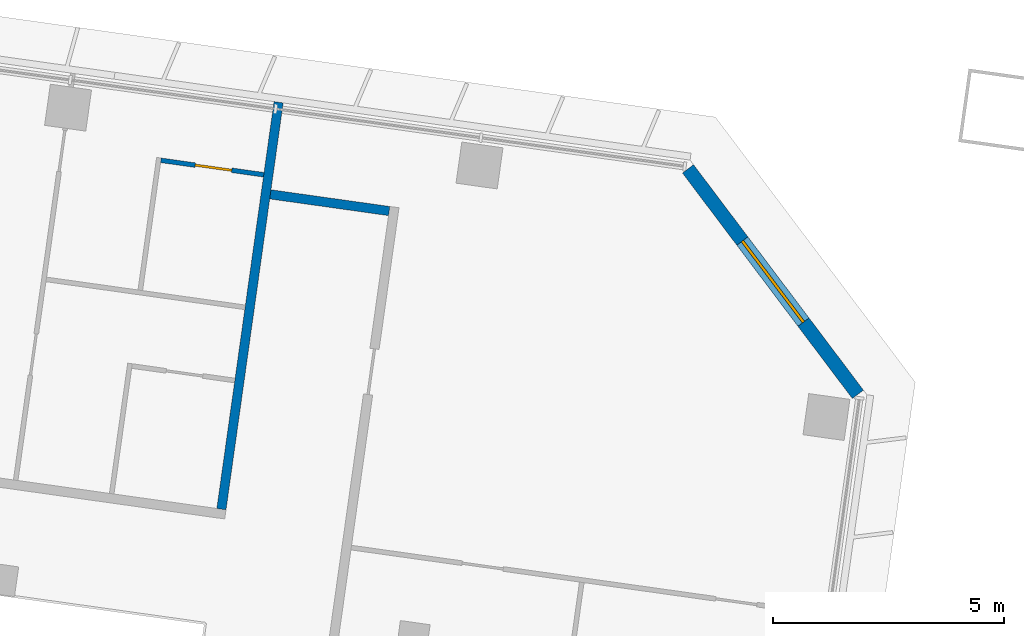
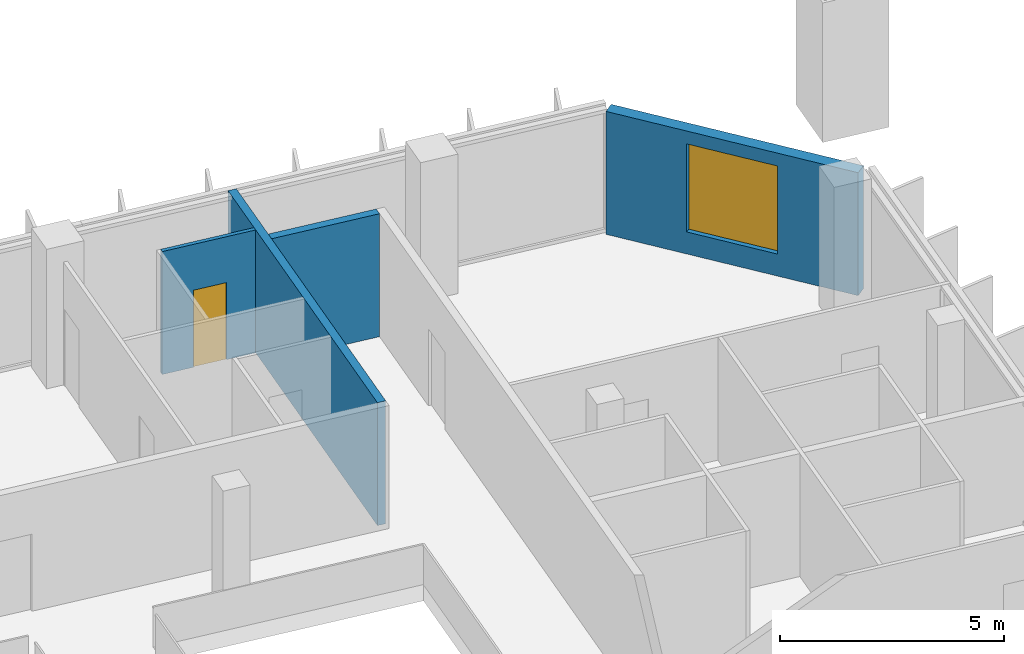
# One storey, part 18 of 27: 4 walls, 1 door, 1 window, 2 openings.
"""IFC4 building model written with IfcOpenShell, lengths in metres."""

from ifc_helpers import new_model, si_unit, direction, frame, frame_2d, origin, place, context, subcontext, project, spatial, rectangle, extrude, material, layer, layer_set, type_object, element, fill, save


model = new_model("IFC4")

# Units and contexts
model_context = context("Model", 3, precision=1e-05, world=origin(), true_north=direction((0.0, 1.0)))
body_context = subcontext(model_context, "Body", "Model", "MODEL_VIEW")
ifc_project = project(units=[si_unit("LENGTHUNIT", "METRE"), si_unit("AREAUNIT", "SQUARE_METRE"), si_unit("VOLUMEUNIT", "CUBIC_METRE"), si_unit("PLANEANGLEUNIT", "RADIAN"), si_unit("MASSUNIT", "GRAM", prefix="KILO")], contexts=[model_context])

# Site, building, storey
site_placement = place(None, origin())
site = spatial("IfcSite", under=ifc_project, at=site_placement, CompositionType="ELEMENT")
building_placement = place(site_placement, origin())
building = spatial("IfcBuilding", under=site, at=building_placement, Name="Mirante Cascada Hotel Towers", CompositionType="ELEMENT")
storey_placement = place(building_placement, frame((0.0, 0.0, 117.7)))
storey = spatial("IfcBuildingStorey", under=building, at=storey_placement, Name="L26", CompositionType="ELEMENT", Elevation=117.7)

# Walls
ifc_material_1 = material(Name="Fire-rated plasterboard on metal studs")
ifc_layer_1 = layer(ifc_material_1, 0.2)
ifc_layer_set_1 = layer_set([ifc_layer_1], Name="Compartment wall 200 EI 120")
wall_type_1 = type_object("IfcWallType", Name="Compartment wall 200 EI 120", PredefinedType="PARTITIONING", material=ifc_layer_set_1)
wall_1_placement = place(storey_placement, frame((-38.329, 16.3376, 0.0), z_axis=(0.0, 0.0, 1.0), x_axis=(-0.9902647, 0.1391971, 0.0)))
element("IfcWall", 1, at=wall_1_placement, inside=storey, type_object=wall_type_1, Name="Wall 1-L26-27", PredefinedType="PARTITIONING", context=body_context, shape_type="SweptSolid", body=[
    extrude(rectangle(XDim=2.5999, YDim=0.2, at=frame_2d((1.3, 0.0))), origin(), (0.0, 0.0, 1.0), 3.35),
])
wall_2_placement = place(storey_placement, frame((-41.963, 9.8805, 0.0), z_axis=(0.0, 0.0, 1.0), x_axis=(0.1391794, 0.9902672, 0.0)))
element("IfcWall", 2, at=wall_2_placement, inside=storey, type_object=wall_type_1, Name="Wall 1-L26-37", PredefinedType="PARTITIONING", context=body_context, shape_type="SweptSolid", body=[
    extrude(rectangle(XDim=8.9, YDim=0.2, at=frame_2d((4.45, 0.0))), origin(), (0.0, 0.0, 1.0), 3.35),
])

# Wall, opening, door
ifc_material_2 = material(Name="Plasterboard on metal studs")
ifc_layer_2 = layer(ifc_material_2, 0.1)
ifc_layer_set_2 = layer_set([ifc_layer_2], Name="Partition 100")
wall_type_2 = type_object("IfcWallType", Name="Partition 100", PredefinedType="PARTITIONING", material=ifc_layer_set_2)
wall_3_placement = place(storey_placement, frame((-41.046, 17.1234, 0.0), z_axis=(0.0, 0.0, 1.0), x_axis=(-0.9902643, 0.1391997, 0.0)))
wall_3 = element("IfcWall", 3, at=wall_3_placement, inside=storey, type_object=wall_type_2, Name="Wall 1-L26-29", PredefinedType="PARTITIONING", context=body_context, shape_type="SweptSolid", body=[
    extrude(rectangle(XDim=2.25, YDim=0.1, at=frame_2d((1.125, 0.0))), origin(), (0.0, 0.0, 1.0), 3.35),
])
opening_1_placement = place(wall_3_placement, frame((0.7, 0.0, 0.0)))
opening_1 = element("IfcOpeningElement", 4, at=opening_1_placement, cuts=wall_3, Name="Opening D1-L26-20", PredefinedType="OPENING", context=body_context, shape_type="SweptSolid", body=[
    extrude(rectangle(XDim=0.8, YDim=2.1, at=frame_2d((0.4, 1.05))), frame((0.0, 0.05, 0.0), z_axis=(0.0, -1.0, 0.0), x_axis=(1.0, 0.0, 0.0)), (0.0, 0.0, 1.0), 0.1),
])
ifc_material_3 = material(Name="Timber door leaf", Category="wood")
door_type = type_object("IfcDoorType", Name="Bathroom door DG4 800x2100", OperationType="SINGLE_SWING_LEFT", PredefinedType="DOOR", material=ifc_material_3)
door_placement = place(opening_1_placement, origin())
door = element("IfcDoor", 5, at=door_placement, inside=storey, type_object=door_type, Name="Door D1-L26-20", OperationType="SINGLE_SWING_LEFT", OverallHeight=2.1, OverallWidth=0.8, PredefinedType="DOOR", context=body_context, shape_type="SweptSolid", body=[
    extrude(rectangle(XDim=0.8, YDim=2.1, at=frame_2d((0.4, 1.05))), frame((0.0, 0.025, 0.0), z_axis=(0.0, -1.0, 0.0), x_axis=(1.0, 0.0, 0.0)), (0.0, 0.0, 1.0), 0.05),
])
fill(opening_1, door)

# Wall, opening, window
ifc_material_4 = material(Name="Precast concrete C40/50", Category="concrete")
ifc_layer_3 = layer(ifc_material_4, 0.3)
ifc_layer_set_3 = layer_set([ifc_layer_3], Name="Precast concrete C40/50 cladding wall 300")
wall_type_3 = type_object("IfcWallType", Name="Precast concrete C40/50 cladding wall 300", PredefinedType="STANDARD", material=ifc_layer_set_3)
wall_4_placement = place(storey_placement, frame((-31.857, 17.252, 0.0), z_axis=(0.0, 0.0, 1.0), x_axis=(0.6018141, -0.7986362, 0.0)))
wall_4 = element("IfcWall", 6, at=wall_4_placement, inside=storey, type_object=wall_type_3, Name="Corner cladding wall T1 L26 front inner", PredefinedType="STANDARD", context=body_context, shape_type="SweptSolid", body=[
    extrude(rectangle(XDim=6.1157, YDim=0.3, at=frame_2d((3.0578, 0.0))), origin(), (0.0, 0.0, 1.0), 3.35),
])
opening_2_placement = place(wall_4_placement, frame((1.9578, 0.0, 0.6)))
opening_2 = element("IfcOpeningElement", 7, at=opening_2_placement, cuts=wall_4, Name="Opening W1-26-05", PredefinedType="OPENING", context=body_context, shape_type="SweptSolid", body=[
    extrude(rectangle(XDim=2.2, YDim=2.4, at=frame_2d((1.1, 1.2))), frame((0.0, 0.15, 0.0), z_axis=(0.0, -1.0, 0.0), x_axis=(1.0, 0.0, 0.0)), (0.0, 0.0, 1.0), 0.3),
])
ifc_material_5 = material(Name="Aluminium frame with clear double glazing", Category="aluminium")
window_type = type_object("IfcWindowType", Name="Corner suite window 2200x2400", PartitioningType="DOUBLE_PANEL_VERTICAL", PredefinedType="WINDOW", material=ifc_material_5)
window_placement = place(opening_2_placement, origin())
window = element("IfcWindow", 8, at=window_placement, inside=storey, type_object=window_type, Name="Window W1-26-05", OverallHeight=2.4, OverallWidth=2.2, PartitioningType="SINGLE_PANEL", PredefinedType="WINDOW", context=body_context, shape_type="SweptSolid", body=[
    extrude(rectangle(XDim=2.2, YDim=2.4, at=frame_2d((1.1, 1.2))), frame((0.0, 0.03, 0.0), z_axis=(0.0, -1.0, 0.0), x_axis=(1.0, 0.0, 0.0)), (0.0, 0.0, 1.0), 0.06),
])
fill(opening_2, window)

save(model, "model.ifc")
